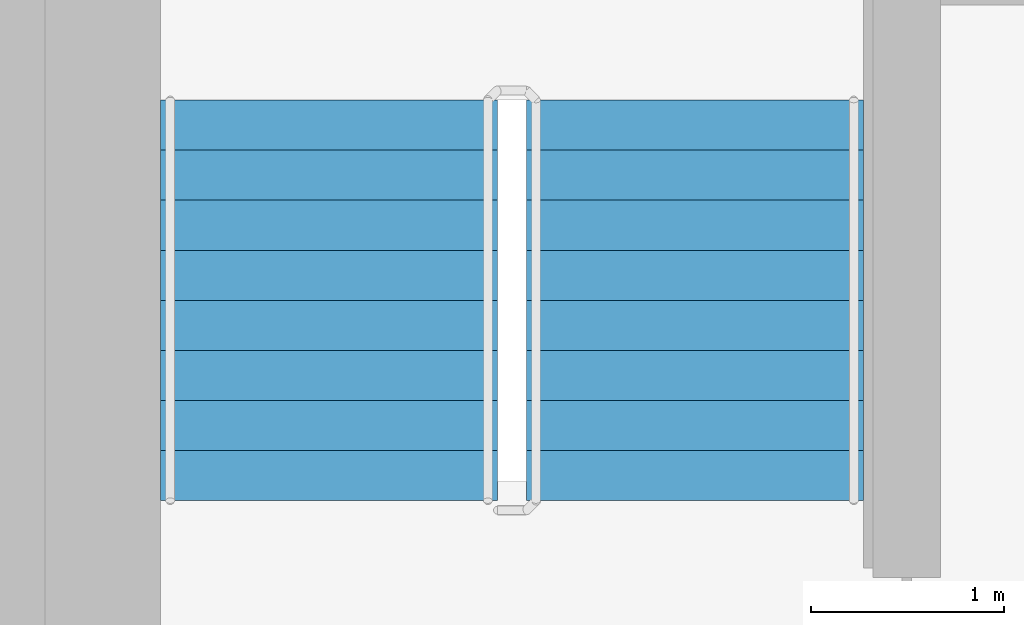
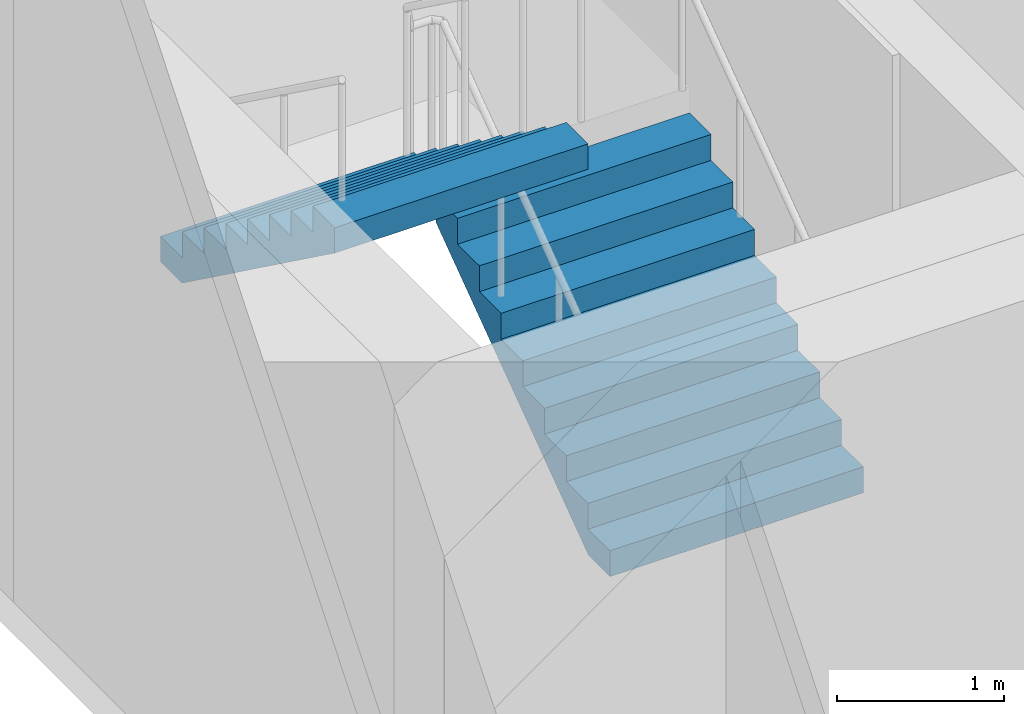
# One storey, part 16 of 19: 2 stair flights, 1 element without a shape of its own.
"""IFC4 building model written with IfcOpenShell, lengths in metres."""

from ifc_helpers import new_model, si_unit, direction, frame, origin, place, context, subcontext, project, spatial, faceted_brep, material, type_object, element, aggregate, save


model = new_model("IFC4")

# Units and contexts
model_context = context("Model", 3, precision=1e-05, world=origin(), true_north=direction((0.0, 1.0)))
body_context = subcontext(model_context, "Body", "Model", "MODEL_VIEW")
ifc_project = project(units=[si_unit("LENGTHUNIT", "METRE"), si_unit("AREAUNIT", "SQUARE_METRE"), si_unit("VOLUMEUNIT", "CUBIC_METRE"), si_unit("PLANEANGLEUNIT", "RADIAN"), si_unit("MASSUNIT", "GRAM", prefix="KILO")], contexts=[model_context])

# Site, building, storey
site_placement = place(None, origin())
site = spatial("IfcSite", under=ifc_project, at=site_placement, CompositionType="ELEMENT")
building_placement = place(site_placement, origin())
building = spatial("IfcBuilding", under=site, at=building_placement, Name="Ipe Terrace Towers", CompositionType="ELEMENT")
storey_placement = place(building_placement, frame((0.0, 0.0, 185.800048828125)))
storey = spatial("IfcBuildingStorey", under=building, at=storey_placement, Name="L51", CompositionType="ELEMENT", Elevation=185.800048828125)

# Stair, stair flights
ifc_material_1 = material(Name="Concrete C30/37", Category="concrete")
stair_type = type_object("IfcStairType", Name="Protected exit stair", PredefinedType="HALF_TURN_STAIR", material=ifc_material_1)
stair_placement = place(storey_placement, origin())
stair = element("IfcStair", 1, at=stair_placement, inside=storey, type_object=stair_type, Name="L51 Exit stair T2-C1", PredefinedType="HALF_TURN_STAIR")
ifc_material_2 = material(Name="Concrete C30/37", Category="concrete")
stair_flight_type = type_object("IfcStairFlightType", Name="Exit stair flight 1750", PredefinedType="STRAIGHT", material=ifc_material_2)
stair_flight_1_placement = place(storey_placement, frame((33.22509765625, 9.699951171875, 0.0), z_axis=(0.0, 0.0, 1.0), x_axis=(0.0, 1.0, 0.0)))
stair_flight_1 = element("IfcStairFlight", 2, at=stair_flight_1_placement, type_object=stair_flight_type, Name="T2-ST1 flight 1", NumberOfRisers=9, NumberOfTreads=8, PredefinedType="STRAIGHT", RiserHeight=0.188888889, TreadLength=0.26, context=body_context, shape_type="Brep", body=[
    faceted_brep([(0.255126953125, -0.875, 0.0), (2.080078125, -0.875, 1.325927734375), (2.080078125, -0.875, 1.51123046875), (1.820068359375, -0.875, 1.51123046875), (1.820068359375, -0.875, 1.322265625), (1.56005859375, -0.875, 1.322265625), (1.56005859375, -0.875, 1.13330078125), (1.300048828125, -0.875, 1.13330078125), (1.300048828125, -0.875, 0.9443359375), (1.0400390625, -0.875, 0.9443359375), (1.0400390625, -0.875, 0.755615234375), (0.780029296875, -0.875, 0.755615234375), (0.780029296875, -0.875, 0.566650390625), (0.52001953125, -0.875, 0.566650390625), (0.52001953125, -0.875, 0.377685546875), (0.260009765625, -0.875, 0.377685546875), (0.260009765625, -0.875, 0.18896484375), (0.0, -0.875, 0.18896484375), (0.0, -0.875, 0.0), (0.0, 0.875, 0.0), (0.0, 0.875, 0.18896484375), (0.260009765625, 0.875, 0.18896484375), (0.260009765625, 0.875, 0.377685546875), (0.52001953125, 0.875, 0.377685546875), (0.52001953125, 0.875, 0.566650390625), (0.780029296875, 0.875, 0.566650390625), (0.780029296875, 0.875, 0.755615234375), (1.0400390625, 0.875, 0.755615234375), (1.0400390625, 0.875, 0.9443359375), (1.300048828125, 0.875, 0.9443359375), (1.300048828125, 0.875, 1.13330078125), (1.56005859375, 0.875, 1.13330078125), (1.56005859375, 0.875, 1.322265625), (1.820068359375, 0.875, 1.322265625), (1.820068359375, 0.875, 1.51123046875), (2.080078125, 0.875, 1.51123046875), (2.080078125, 0.875, 1.325927734375), (0.255126953125, 0.875, 0.0), (0.0, -0.300048828125, 0.18896484375), (0.0, -0.1201171875, 0.18896484375), (0.0, -0.06005859375, 0.18896484375), (0.0, -0.030029296875, 0.18896484375), (0.0, -0.010009765625, 0.18896484375), (0.0, 0.0, 0.18896484375), (0.0, 0.010009765625, 0.18896484375), (0.0, 0.030029296875, 0.18896484375), (0.0, 0.06005859375, 0.18896484375), (0.0, 0.1201171875, 0.18896484375), (0.0, 0.300048828125, 0.18896484375), (0.0, 0.300048828125, 0.0), (0.0, 0.1201171875, 0.0), (0.0, 0.06005859375, 0.0), (0.0, 0.030029296875, 0.0), (0.0, 0.010009765625, 0.0), (0.0, 0.0, 0.0), (0.0, -0.010009765625, 0.0), (0.0, -0.030029296875, 0.0), (0.0, -0.06005859375, 0.0), (0.0, -0.1201171875, 0.0), (0.0, -0.300048828125, 0.0), (0.260009765625, -0.300048828125, 0.18896484375), (0.260009765625, -0.1201171875, 0.18896484375), (0.260009765625, -0.06005859375, 0.18896484375), (0.260009765625, -0.030029296875, 0.18896484375), (0.260009765625, -0.010009765625, 0.18896484375), (0.260009765625, 0.0, 0.18896484375), (0.260009765625, 0.010009765625, 0.18896484375), (0.260009765625, 0.030029296875, 0.18896484375), (0.260009765625, 0.06005859375, 0.18896484375), (0.260009765625, 0.1201171875, 0.18896484375), (0.260009765625, 0.300048828125, 0.18896484375), (0.260009765625, -0.300048828125, 0.377685546875), (0.260009765625, -0.1201171875, 0.377685546875), (0.260009765625, -0.06005859375, 0.377685546875), (0.260009765625, -0.030029296875, 0.377685546875), (0.260009765625, -0.010009765625, 0.377685546875), (0.260009765625, 0.0, 0.377685546875), (0.260009765625, 0.010009765625, 0.377685546875), (0.260009765625, 0.030029296875, 0.377685546875), (0.260009765625, 0.06005859375, 0.377685546875), (0.260009765625, 0.1201171875, 0.377685546875), (0.260009765625, 0.300048828125, 0.377685546875), (0.52001953125, -0.300048828125, 0.377685546875), (0.52001953125, -0.1201171875, 0.377685546875), (0.52001953125, -0.06005859375, 0.377685546875), (0.52001953125, -0.030029296875, 0.377685546875), (0.52001953125, -0.010009765625, 0.377685546875), (0.52001953125, 0.0, 0.377685546875), (0.52001953125, 0.010009765625, 0.377685546875), (0.52001953125, 0.030029296875, 0.377685546875), (0.52001953125, 0.06005859375, 0.377685546875), (0.52001953125, 0.1201171875, 0.377685546875), (0.52001953125, 0.300048828125, 0.377685546875), (0.52001953125, -0.300048828125, 0.566650390625), (0.52001953125, -0.1201171875, 0.566650390625), (0.52001953125, -0.06005859375, 0.566650390625), (0.52001953125, -0.030029296875, 0.566650390625), (0.52001953125, -0.010009765625, 0.566650390625), (0.52001953125, 0.0, 0.566650390625), (0.52001953125, 0.010009765625, 0.566650390625), (0.52001953125, 0.030029296875, 0.566650390625), (0.52001953125, 0.06005859375, 0.566650390625), (0.52001953125, 0.1201171875, 0.566650390625), (0.52001953125, 0.300048828125, 0.566650390625), (0.780029296875, -0.300048828125, 0.566650390625), (0.780029296875, -0.1201171875, 0.566650390625), (0.780029296875, -0.06005859375, 0.566650390625), (0.780029296875, -0.030029296875, 0.566650390625), (0.780029296875, -0.010009765625, 0.566650390625), (0.780029296875, 0.0, 0.566650390625), (0.780029296875, 0.010009765625, 0.566650390625), (0.780029296875, 0.030029296875, 0.566650390625), (0.780029296875, 0.06005859375, 0.566650390625), (0.780029296875, 0.1201171875, 0.566650390625), (0.780029296875, 0.300048828125, 0.566650390625), (0.780029296875, -0.300048828125, 0.755615234375), (0.780029296875, -0.1201171875, 0.755615234375), (0.780029296875, -0.06005859375, 0.755615234375), (0.780029296875, -0.030029296875, 0.755615234375), (0.780029296875, -0.010009765625, 0.755615234375), (0.780029296875, 0.0, 0.755615234375), (0.780029296875, 0.010009765625, 0.755615234375), (0.780029296875, 0.030029296875, 0.755615234375), (0.780029296875, 0.06005859375, 0.755615234375), (0.780029296875, 0.1201171875, 0.755615234375), (0.780029296875, 0.300048828125, 0.755615234375), (1.0400390625, -0.300048828125, 0.755615234375), (1.0400390625, -0.1201171875, 0.755615234375), (1.0400390625, -0.06005859375, 0.755615234375), (1.0400390625, -0.030029296875, 0.755615234375), (1.0400390625, -0.010009765625, 0.755615234375), (1.0400390625, 0.0, 0.755615234375), (1.0400390625, 0.010009765625, 0.755615234375), (1.0400390625, 0.030029296875, 0.755615234375), (1.0400390625, 0.06005859375, 0.755615234375), (1.0400390625, 0.1201171875, 0.755615234375), (1.0400390625, 0.300048828125, 0.755615234375), (1.0400390625, -0.300048828125, 0.9443359375), (1.0400390625, -0.1201171875, 0.9443359375), (1.0400390625, -0.06005859375, 0.9443359375), (1.0400390625, -0.030029296875, 0.9443359375), (1.0400390625, -0.010009765625, 0.9443359375), (1.0400390625, 0.0, 0.9443359375), (1.0400390625, 0.010009765625, 0.9443359375), (1.0400390625, 0.030029296875, 0.9443359375), (1.0400390625, 0.06005859375, 0.9443359375), (1.0400390625, 0.1201171875, 0.9443359375), (1.0400390625, 0.300048828125, 0.9443359375), (1.300048828125, -0.300048828125, 0.9443359375), (1.300048828125, -0.1201171875, 0.9443359375), (1.300048828125, -0.06005859375, 0.9443359375), (1.300048828125, -0.030029296875, 0.9443359375), (1.300048828125, -0.010009765625, 0.9443359375), (1.300048828125, 0.0, 0.9443359375), (1.300048828125, 0.010009765625, 0.9443359375), (1.300048828125, 0.030029296875, 0.9443359375), (1.300048828125, 0.06005859375, 0.9443359375), (1.300048828125, 0.1201171875, 0.9443359375), (1.300048828125, 0.300048828125, 0.9443359375), (1.300048828125, -0.300048828125, 1.13330078125), (1.300048828125, -0.1201171875, 1.13330078125), (1.300048828125, -0.06005859375, 1.13330078125), (1.300048828125, -0.030029296875, 1.13330078125), (1.300048828125, -0.010009765625, 1.13330078125), (1.300048828125, 0.0, 1.13330078125), (1.300048828125, 0.010009765625, 1.13330078125), (1.300048828125, 0.030029296875, 1.13330078125), (1.300048828125, 0.06005859375, 1.13330078125), (1.300048828125, 0.1201171875, 1.13330078125), (1.300048828125, 0.300048828125, 1.13330078125), (1.56005859375, -0.300048828125, 1.13330078125), (1.56005859375, -0.1201171875, 1.13330078125), (1.56005859375, -0.06005859375, 1.13330078125), (1.56005859375, -0.030029296875, 1.13330078125), (1.56005859375, -0.010009765625, 1.13330078125), (1.56005859375, 0.0, 1.13330078125), (1.56005859375, 0.010009765625, 1.13330078125), (1.56005859375, 0.030029296875, 1.13330078125), (1.56005859375, 0.06005859375, 1.13330078125), (1.56005859375, 0.1201171875, 1.13330078125), (1.56005859375, 0.300048828125, 1.13330078125), (1.56005859375, -0.300048828125, 1.322265625), (1.56005859375, -0.1201171875, 1.322265625), (1.56005859375, -0.06005859375, 1.322265625), (1.56005859375, -0.030029296875, 1.322265625), (1.56005859375, -0.010009765625, 1.322265625), (1.56005859375, 0.0, 1.322265625), (1.56005859375, 0.010009765625, 1.322265625), (1.56005859375, 0.030029296875, 1.322265625), (1.56005859375, 0.06005859375, 1.322265625), (1.56005859375, 0.1201171875, 1.322265625), (1.56005859375, 0.300048828125, 1.322265625), (1.820068359375, -0.300048828125, 1.322265625), (1.820068359375, -0.1201171875, 1.322265625), (1.820068359375, -0.06005859375, 1.322265625), (1.820068359375, -0.030029296875, 1.322265625), (1.820068359375, -0.010009765625, 1.322265625), (1.820068359375, 0.0, 1.322265625), (1.820068359375, 0.010009765625, 1.322265625), (1.820068359375, 0.030029296875, 1.322265625), (1.820068359375, 0.06005859375, 1.322265625), (1.820068359375, 0.1201171875, 1.322265625), (1.820068359375, 0.300048828125, 1.322265625), (1.820068359375, -0.300048828125, 1.51123046875), (1.820068359375, -0.1201171875, 1.51123046875), (1.820068359375, -0.06005859375, 1.51123046875), (1.820068359375, -0.030029296875, 1.51123046875), (1.820068359375, -0.010009765625, 1.51123046875), (1.820068359375, 0.0, 1.51123046875), (1.820068359375, 0.010009765625, 1.51123046875), (1.820068359375, 0.030029296875, 1.51123046875), (1.820068359375, 0.06005859375, 1.51123046875), (1.820068359375, 0.1201171875, 1.51123046875), (1.820068359375, 0.300048828125, 1.51123046875), (2.080078125, -0.300048828125, 1.51123046875), (2.080078125, -0.1201171875, 1.51123046875), (2.080078125, -0.06005859375, 1.51123046875), (2.080078125, -0.030029296875, 1.51123046875), (2.080078125, -0.010009765625, 1.51123046875), (2.080078125, 0.0, 1.51123046875), (2.080078125, 0.010009765625, 1.51123046875), (2.080078125, 0.030029296875, 1.51123046875), (2.080078125, 0.06005859375, 1.51123046875), (2.080078125, 0.1201171875, 1.51123046875), (2.080078125, 0.300048828125, 1.51123046875), (2.080078125, -0.300048828125, 1.325927734375), (2.080078125, -0.1201171875, 1.325927734375), (2.080078125, -0.06005859375, 1.325927734375), (2.080078125, -0.030029296875, 1.325927734375), (2.080078125, -0.010009765625, 1.325927734375), (2.080078125, 0.0, 1.325927734375), (2.080078125, 0.010009765625, 1.325927734375), (2.080078125, 0.030029296875, 1.325927734375), (2.080078125, 0.06005859375, 1.325927734375), (2.080078125, 0.1201171875, 1.325927734375), (2.080078125, 0.300048828125, 1.325927734375), (0.255126953125, -0.300048828125, 0.0), (0.255126953125, -0.1201171875, 0.0), (0.255126953125, -0.06005859375, 0.0), (0.255126953125, -0.030029296875, 0.0), (0.255126953125, -0.010009765625, 0.0), (0.255126953125, 0.0, 0.0), (0.255126953125, 0.010009765625, 0.0), (0.255126953125, 0.030029296875, 0.0), (0.255126953125, 0.06005859375, 0.0), (0.255126953125, 0.1201171875, 0.0), (0.255126953125, 0.300048828125, 0.0)], [[[0, 1, 2, 3, 4, 5, 6, 7, 8, 9, 10, 11, 12, 13, 14, 15, 16, 17, 18]], [[19, 20, 21, 22, 23, 24, 25, 26, 27, 28, 29, 30, 31, 32, 33, 34, 35, 36, 37]], [[17, 38, 39, 40, 41, 42, 43, 44, 45, 46, 47, 48, 20, 19, 49, 50, 51, 52, 53, 54, 55, 56, 57, 58, 59, 18]], [[16, 60, 61, 62, 63, 64, 65, 66, 67, 68, 69, 70, 21, 20, 48, 47, 46, 45, 44, 43, 42, 41, 40, 39, 38, 17]], [[15, 71, 72, 73, 74, 75, 76, 77, 78, 79, 80, 81, 22, 21, 70, 69, 68, 67, 66, 65, 64, 63, 62, 61, 60, 16]], [[14, 82, 83, 84, 85, 86, 87, 88, 89, 90, 91, 92, 23, 22, 81, 80, 79, 78, 77, 76, 75, 74, 73, 72, 71, 15]], [[13, 93, 94, 95, 96, 97, 98, 99, 100, 101, 102, 103, 24, 23, 92, 91, 90, 89, 88, 87, 86, 85, 84, 83, 82, 14]], [[12, 104, 105, 106, 107, 108, 109, 110, 111, 112, 113, 114, 25, 24, 103, 102, 101, 100, 99, 98, 97, 96, 95, 94, 93, 13]], [[11, 115, 116, 117, 118, 119, 120, 121, 122, 123, 124, 125, 26, 25, 114, 113, 112, 111, 110, 109, 108, 107, 106, 105, 104, 12]], [[10, 126, 127, 128, 129, 130, 131, 132, 133, 134, 135, 136, 27, 26, 125, 124, 123, 122, 121, 120, 119, 118, 117, 116, 115, 11]], [[9, 137, 138, 139, 140, 141, 142, 143, 144, 145, 146, 147, 28, 27, 136, 135, 134, 133, 132, 131, 130, 129, 128, 127, 126, 10]], [[8, 148, 149, 150, 151, 152, 153, 154, 155, 156, 157, 158, 29, 28, 147, 146, 145, 144, 143, 142, 141, 140, 139, 138, 137, 9]], [[7, 159, 160, 161, 162, 163, 164, 165, 166, 167, 168, 169, 30, 29, 158, 157, 156, 155, 154, 153, 152, 151, 150, 149, 148, 8]], [[6, 170, 171, 172, 173, 174, 175, 176, 177, 178, 179, 180, 31, 30, 169, 168, 167, 166, 165, 164, 163, 162, 161, 160, 159, 7]], [[5, 181, 182, 183, 184, 185, 186, 187, 188, 189, 190, 191, 32, 31, 180, 179, 178, 177, 176, 175, 174, 173, 172, 171, 170, 6]], [[4, 192, 193, 194, 195, 196, 197, 198, 199, 200, 201, 202, 33, 32, 191, 190, 189, 188, 187, 186, 185, 184, 183, 182, 181, 5]], [[3, 203, 204, 205, 206, 207, 208, 209, 210, 211, 212, 213, 34, 33, 202, 201, 200, 199, 198, 197, 196, 195, 194, 193, 192, 4]], [[2, 214, 215, 216, 217, 218, 219, 220, 221, 222, 223, 224, 35, 34, 213, 212, 211, 210, 209, 208, 207, 206, 205, 204, 203, 3]], [[1, 225, 226, 227, 228, 229, 230, 231, 232, 233, 234, 235, 36, 35, 224, 223, 222, 221, 220, 219, 218, 217, 216, 215, 214, 2]], [[0, 236, 237, 238, 239, 240, 241, 242, 243, 244, 245, 246, 37, 36, 235, 234, 233, 232, 231, 230, 229, 228, 227, 226, 225, 1]], [[18, 59, 58, 57, 56, 55, 54, 53, 52, 51, 50, 49, 19, 37, 246, 245, 244, 243, 242, 241, 240, 239, 238, 237, 236, 0]]]),
])
stair_flight_2_placement = place(storey_placement, frame((31.324951171875, 11.780029296875, 1.699951171875), z_axis=(0.0, 0.0, 1.0), x_axis=(0.0, -1.0, 0.0)))
stair_flight_2 = element("IfcStairFlight", 3, at=stair_flight_2_placement, type_object=stair_flight_type, Name="T2-ST1 flight 2", NumberOfRisers=9, NumberOfTreads=8, PredefinedType="STRAIGHT", RiserHeight=0.188888889, TreadLength=0.26, context=body_context, shape_type="Brep", body=[
    faceted_brep([(0.255126953125, -0.875, 0.0), (2.080078125, -0.875, 1.325927734375), (2.080078125, -0.875, 1.51123046875), (1.820068359375, -0.875, 1.51123046875), (1.820068359375, -0.875, 1.322265625), (1.56005859375, -0.875, 1.322265625), (1.56005859375, -0.875, 1.13330078125), (1.300048828125, -0.875, 1.13330078125), (1.300048828125, -0.875, 0.9443359375), (1.0400390625, -0.875, 0.9443359375), (1.0400390625, -0.875, 0.755615234375), (0.780029296875, -0.875, 0.755615234375), (0.780029296875, -0.875, 0.566650390625), (0.52001953125, -0.875, 0.566650390625), (0.52001953125, -0.875, 0.377685546875), (0.260009765625, -0.875, 0.377685546875), (0.260009765625, -0.875, 0.18896484375), (0.0, -0.875, 0.18896484375), (0.0, -0.875, 0.0), (0.0, 0.875, 0.0), (0.0, 0.875, 0.18896484375), (0.260009765625, 0.875, 0.18896484375), (0.260009765625, 0.875, 0.377685546875), (0.52001953125, 0.875, 0.377685546875), (0.52001953125, 0.875, 0.566650390625), (0.780029296875, 0.875, 0.566650390625), (0.780029296875, 0.875, 0.755615234375), (1.0400390625, 0.875, 0.755615234375), (1.0400390625, 0.875, 0.9443359375), (1.300048828125, 0.875, 0.9443359375), (1.300048828125, 0.875, 1.13330078125), (1.56005859375, 0.875, 1.13330078125), (1.56005859375, 0.875, 1.322265625), (1.820068359375, 0.875, 1.322265625), (1.820068359375, 0.875, 1.51123046875), (2.080078125, 0.875, 1.51123046875), (2.080078125, 0.875, 1.325927734375), (0.255126953125, 0.875, 0.0), (0.0, -0.300048828125, 0.18896484375), (0.0, -0.1201171875, 0.18896484375), (0.0, -0.06005859375, 0.18896484375), (0.0, -0.030029296875, 0.18896484375), (0.0, -0.010009765625, 0.18896484375), (0.0, 0.0, 0.18896484375), (0.0, 0.010009765625, 0.18896484375), (0.0, 0.030029296875, 0.18896484375), (0.0, 0.06005859375, 0.18896484375), (0.0, 0.1201171875, 0.18896484375), (0.0, 0.300048828125, 0.18896484375), (0.0, 0.300048828125, 0.0), (0.0, 0.1201171875, 0.0), (0.0, 0.06005859375, 0.0), (0.0, 0.030029296875, 0.0), (0.0, 0.010009765625, 0.0), (0.0, 0.0, 0.0), (0.0, -0.010009765625, 0.0), (0.0, -0.030029296875, 0.0), (0.0, -0.06005859375, 0.0), (0.0, -0.1201171875, 0.0), (0.0, -0.300048828125, 0.0), (0.260009765625, -0.300048828125, 0.18896484375), (0.260009765625, -0.1201171875, 0.18896484375), (0.260009765625, -0.06005859375, 0.18896484375), (0.260009765625, -0.030029296875, 0.18896484375), (0.260009765625, -0.010009765625, 0.18896484375), (0.260009765625, 0.0, 0.18896484375), (0.260009765625, 0.010009765625, 0.18896484375), (0.260009765625, 0.030029296875, 0.18896484375), (0.260009765625, 0.06005859375, 0.18896484375), (0.260009765625, 0.1201171875, 0.18896484375), (0.260009765625, 0.300048828125, 0.18896484375), (0.260009765625, -0.300048828125, 0.377685546875), (0.260009765625, -0.1201171875, 0.377685546875), (0.260009765625, -0.06005859375, 0.377685546875), (0.260009765625, -0.030029296875, 0.377685546875), (0.260009765625, -0.010009765625, 0.377685546875), (0.260009765625, 0.0, 0.377685546875), (0.260009765625, 0.010009765625, 0.377685546875), (0.260009765625, 0.030029296875, 0.377685546875), (0.260009765625, 0.06005859375, 0.377685546875), (0.260009765625, 0.1201171875, 0.377685546875), (0.260009765625, 0.300048828125, 0.377685546875), (0.52001953125, -0.300048828125, 0.377685546875), (0.52001953125, -0.1201171875, 0.377685546875), (0.52001953125, -0.06005859375, 0.377685546875), (0.52001953125, -0.030029296875, 0.377685546875), (0.52001953125, -0.010009765625, 0.377685546875), (0.52001953125, 0.0, 0.377685546875), (0.52001953125, 0.010009765625, 0.377685546875), (0.52001953125, 0.030029296875, 0.377685546875), (0.52001953125, 0.06005859375, 0.377685546875), (0.52001953125, 0.1201171875, 0.377685546875), (0.52001953125, 0.300048828125, 0.377685546875), (0.52001953125, -0.300048828125, 0.566650390625), (0.52001953125, -0.1201171875, 0.566650390625), (0.52001953125, -0.06005859375, 0.566650390625), (0.52001953125, -0.030029296875, 0.566650390625), (0.52001953125, -0.010009765625, 0.566650390625), (0.52001953125, 0.0, 0.566650390625), (0.52001953125, 0.010009765625, 0.566650390625), (0.52001953125, 0.030029296875, 0.566650390625), (0.52001953125, 0.06005859375, 0.566650390625), (0.52001953125, 0.1201171875, 0.566650390625), (0.52001953125, 0.300048828125, 0.566650390625), (0.780029296875, -0.300048828125, 0.566650390625), (0.780029296875, -0.1201171875, 0.566650390625), (0.780029296875, -0.06005859375, 0.566650390625), (0.780029296875, -0.030029296875, 0.566650390625), (0.780029296875, -0.010009765625, 0.566650390625), (0.780029296875, 0.0, 0.566650390625), (0.780029296875, 0.010009765625, 0.566650390625), (0.780029296875, 0.030029296875, 0.566650390625), (0.780029296875, 0.06005859375, 0.566650390625), (0.780029296875, 0.1201171875, 0.566650390625), (0.780029296875, 0.300048828125, 0.566650390625), (0.780029296875, -0.300048828125, 0.755615234375), (0.780029296875, -0.1201171875, 0.755615234375), (0.780029296875, -0.06005859375, 0.755615234375), (0.780029296875, -0.030029296875, 0.755615234375), (0.780029296875, -0.010009765625, 0.755615234375), (0.780029296875, 0.0, 0.755615234375), (0.780029296875, 0.010009765625, 0.755615234375), (0.780029296875, 0.030029296875, 0.755615234375), (0.780029296875, 0.06005859375, 0.755615234375), (0.780029296875, 0.1201171875, 0.755615234375), (0.780029296875, 0.300048828125, 0.755615234375), (1.0400390625, -0.300048828125, 0.755615234375), (1.0400390625, -0.1201171875, 0.755615234375), (1.0400390625, -0.06005859375, 0.755615234375), (1.0400390625, -0.030029296875, 0.755615234375), (1.0400390625, -0.010009765625, 0.755615234375), (1.0400390625, 0.0, 0.755615234375), (1.0400390625, 0.010009765625, 0.755615234375), (1.0400390625, 0.030029296875, 0.755615234375), (1.0400390625, 0.06005859375, 0.755615234375), (1.0400390625, 0.1201171875, 0.755615234375), (1.0400390625, 0.300048828125, 0.755615234375), (1.0400390625, -0.300048828125, 0.9443359375), (1.0400390625, -0.1201171875, 0.9443359375), (1.0400390625, -0.06005859375, 0.9443359375), (1.0400390625, -0.030029296875, 0.9443359375), (1.0400390625, -0.010009765625, 0.9443359375), (1.0400390625, 0.0, 0.9443359375), (1.0400390625, 0.010009765625, 0.9443359375), (1.0400390625, 0.030029296875, 0.9443359375), (1.0400390625, 0.06005859375, 0.9443359375), (1.0400390625, 0.1201171875, 0.9443359375), (1.0400390625, 0.300048828125, 0.9443359375), (1.300048828125, -0.300048828125, 0.9443359375), (1.300048828125, -0.1201171875, 0.9443359375), (1.300048828125, -0.06005859375, 0.9443359375), (1.300048828125, -0.030029296875, 0.9443359375), (1.300048828125, -0.010009765625, 0.9443359375), (1.300048828125, 0.0, 0.9443359375), (1.300048828125, 0.010009765625, 0.9443359375), (1.300048828125, 0.030029296875, 0.9443359375), (1.300048828125, 0.06005859375, 0.9443359375), (1.300048828125, 0.1201171875, 0.9443359375), (1.300048828125, 0.300048828125, 0.9443359375), (1.300048828125, -0.300048828125, 1.13330078125), (1.300048828125, -0.1201171875, 1.13330078125), (1.300048828125, -0.06005859375, 1.13330078125), (1.300048828125, -0.030029296875, 1.13330078125), (1.300048828125, -0.010009765625, 1.13330078125), (1.300048828125, 0.0, 1.13330078125), (1.300048828125, 0.010009765625, 1.13330078125), (1.300048828125, 0.030029296875, 1.13330078125), (1.300048828125, 0.06005859375, 1.13330078125), (1.300048828125, 0.1201171875, 1.13330078125), (1.300048828125, 0.300048828125, 1.13330078125), (1.56005859375, -0.300048828125, 1.13330078125), (1.56005859375, -0.1201171875, 1.13330078125), (1.56005859375, -0.06005859375, 1.13330078125), (1.56005859375, -0.030029296875, 1.13330078125), (1.56005859375, -0.010009765625, 1.13330078125), (1.56005859375, 0.0, 1.13330078125), (1.56005859375, 0.010009765625, 1.13330078125), (1.56005859375, 0.030029296875, 1.13330078125), (1.56005859375, 0.06005859375, 1.13330078125), (1.56005859375, 0.1201171875, 1.13330078125), (1.56005859375, 0.300048828125, 1.13330078125), (1.56005859375, -0.300048828125, 1.322265625), (1.56005859375, -0.1201171875, 1.322265625), (1.56005859375, -0.06005859375, 1.322265625), (1.56005859375, -0.030029296875, 1.322265625), (1.56005859375, -0.010009765625, 1.322265625), (1.56005859375, 0.0, 1.322265625), (1.56005859375, 0.010009765625, 1.322265625), (1.56005859375, 0.030029296875, 1.322265625), (1.56005859375, 0.06005859375, 1.322265625), (1.56005859375, 0.1201171875, 1.322265625), (1.56005859375, 0.300048828125, 1.322265625), (1.820068359375, -0.300048828125, 1.322265625), (1.820068359375, -0.1201171875, 1.322265625), (1.820068359375, -0.06005859375, 1.322265625), (1.820068359375, -0.030029296875, 1.322265625), (1.820068359375, -0.010009765625, 1.322265625), (1.820068359375, 0.0, 1.322265625), (1.820068359375, 0.010009765625, 1.322265625), (1.820068359375, 0.030029296875, 1.322265625), (1.820068359375, 0.06005859375, 1.322265625), (1.820068359375, 0.1201171875, 1.322265625), (1.820068359375, 0.300048828125, 1.322265625), (1.820068359375, -0.300048828125, 1.51123046875), (1.820068359375, -0.1201171875, 1.51123046875), (1.820068359375, -0.06005859375, 1.51123046875), (1.820068359375, -0.030029296875, 1.51123046875), (1.820068359375, -0.010009765625, 1.51123046875), (1.820068359375, 0.0, 1.51123046875), (1.820068359375, 0.010009765625, 1.51123046875), (1.820068359375, 0.030029296875, 1.51123046875), (1.820068359375, 0.06005859375, 1.51123046875), (1.820068359375, 0.1201171875, 1.51123046875), (1.820068359375, 0.300048828125, 1.51123046875), (2.080078125, -0.300048828125, 1.51123046875), (2.080078125, -0.1201171875, 1.51123046875), (2.080078125, -0.06005859375, 1.51123046875), (2.080078125, -0.030029296875, 1.51123046875), (2.080078125, -0.010009765625, 1.51123046875), (2.080078125, 0.0, 1.51123046875), (2.080078125, 0.010009765625, 1.51123046875), (2.080078125, 0.030029296875, 1.51123046875), (2.080078125, 0.06005859375, 1.51123046875), (2.080078125, 0.1201171875, 1.51123046875), (2.080078125, 0.300048828125, 1.51123046875), (2.080078125, -0.300048828125, 1.325927734375), (2.080078125, -0.1201171875, 1.325927734375), (2.080078125, -0.06005859375, 1.325927734375), (2.080078125, -0.030029296875, 1.325927734375), (2.080078125, -0.010009765625, 1.325927734375), (2.080078125, 0.0, 1.325927734375), (2.080078125, 0.010009765625, 1.325927734375), (2.080078125, 0.030029296875, 1.325927734375), (2.080078125, 0.06005859375, 1.325927734375), (2.080078125, 0.1201171875, 1.325927734375), (2.080078125, 0.300048828125, 1.325927734375), (0.255126953125, -0.300048828125, 0.0), (0.255126953125, -0.1201171875, 0.0), (0.255126953125, -0.06005859375, 0.0), (0.255126953125, -0.030029296875, 0.0), (0.255126953125, -0.010009765625, 0.0), (0.255126953125, 0.0, 0.0), (0.255126953125, 0.010009765625, 0.0), (0.255126953125, 0.030029296875, 0.0), (0.255126953125, 0.06005859375, 0.0), (0.255126953125, 0.1201171875, 0.0), (0.255126953125, 0.300048828125, 0.0)], [[[0, 1, 2, 3, 4, 5, 6, 7, 8, 9, 10, 11, 12, 13, 14, 15, 16, 17, 18]], [[19, 20, 21, 22, 23, 24, 25, 26, 27, 28, 29, 30, 31, 32, 33, 34, 35, 36, 37]], [[17, 38, 39, 40, 41, 42, 43, 44, 45, 46, 47, 48, 20, 19, 49, 50, 51, 52, 53, 54, 55, 56, 57, 58, 59, 18]], [[16, 60, 61, 62, 63, 64, 65, 66, 67, 68, 69, 70, 21, 20, 48, 47, 46, 45, 44, 43, 42, 41, 40, 39, 38, 17]], [[15, 71, 72, 73, 74, 75, 76, 77, 78, 79, 80, 81, 22, 21, 70, 69, 68, 67, 66, 65, 64, 63, 62, 61, 60, 16]], [[14, 82, 83, 84, 85, 86, 87, 88, 89, 90, 91, 92, 23, 22, 81, 80, 79, 78, 77, 76, 75, 74, 73, 72, 71, 15]], [[13, 93, 94, 95, 96, 97, 98, 99, 100, 101, 102, 103, 24, 23, 92, 91, 90, 89, 88, 87, 86, 85, 84, 83, 82, 14]], [[12, 104, 105, 106, 107, 108, 109, 110, 111, 112, 113, 114, 25, 24, 103, 102, 101, 100, 99, 98, 97, 96, 95, 94, 93, 13]], [[11, 115, 116, 117, 118, 119, 120, 121, 122, 123, 124, 125, 26, 25, 114, 113, 112, 111, 110, 109, 108, 107, 106, 105, 104, 12]], [[10, 126, 127, 128, 129, 130, 131, 132, 133, 134, 135, 136, 27, 26, 125, 124, 123, 122, 121, 120, 119, 118, 117, 116, 115, 11]], [[9, 137, 138, 139, 140, 141, 142, 143, 144, 145, 146, 147, 28, 27, 136, 135, 134, 133, 132, 131, 130, 129, 128, 127, 126, 10]], [[8, 148, 149, 150, 151, 152, 153, 154, 155, 156, 157, 158, 29, 28, 147, 146, 145, 144, 143, 142, 141, 140, 139, 138, 137, 9]], [[7, 159, 160, 161, 162, 163, 164, 165, 166, 167, 168, 169, 30, 29, 158, 157, 156, 155, 154, 153, 152, 151, 150, 149, 148, 8]], [[6, 170, 171, 172, 173, 174, 175, 176, 177, 178, 179, 180, 31, 30, 169, 168, 167, 166, 165, 164, 163, 162, 161, 160, 159, 7]], [[5, 181, 182, 183, 184, 185, 186, 187, 188, 189, 190, 191, 32, 31, 180, 179, 178, 177, 176, 175, 174, 173, 172, 171, 170, 6]], [[4, 192, 193, 194, 195, 196, 197, 198, 199, 200, 201, 202, 33, 32, 191, 190, 189, 188, 187, 186, 185, 184, 183, 182, 181, 5]], [[3, 203, 204, 205, 206, 207, 208, 209, 210, 211, 212, 213, 34, 33, 202, 201, 200, 199, 198, 197, 196, 195, 194, 193, 192, 4]], [[2, 214, 215, 216, 217, 218, 219, 220, 221, 222, 223, 224, 35, 34, 213, 212, 211, 210, 209, 208, 207, 206, 205, 204, 203, 3]], [[1, 225, 226, 227, 228, 229, 230, 231, 232, 233, 234, 235, 36, 35, 224, 223, 222, 221, 220, 219, 218, 217, 216, 215, 214, 2]], [[0, 236, 237, 238, 239, 240, 241, 242, 243, 244, 245, 246, 37, 36, 235, 234, 233, 232, 231, 230, 229, 228, 227, 226, 225, 1]], [[18, 59, 58, 57, 56, 55, 54, 53, 52, 51, 50, 49, 19, 37, 246, 245, 244, 243, 242, 241, 240, 239, 238, 237, 236, 0]]]),
])
aggregate(stair, [stair_flight_1, stair_flight_2])

save(model, "model.ifc")
